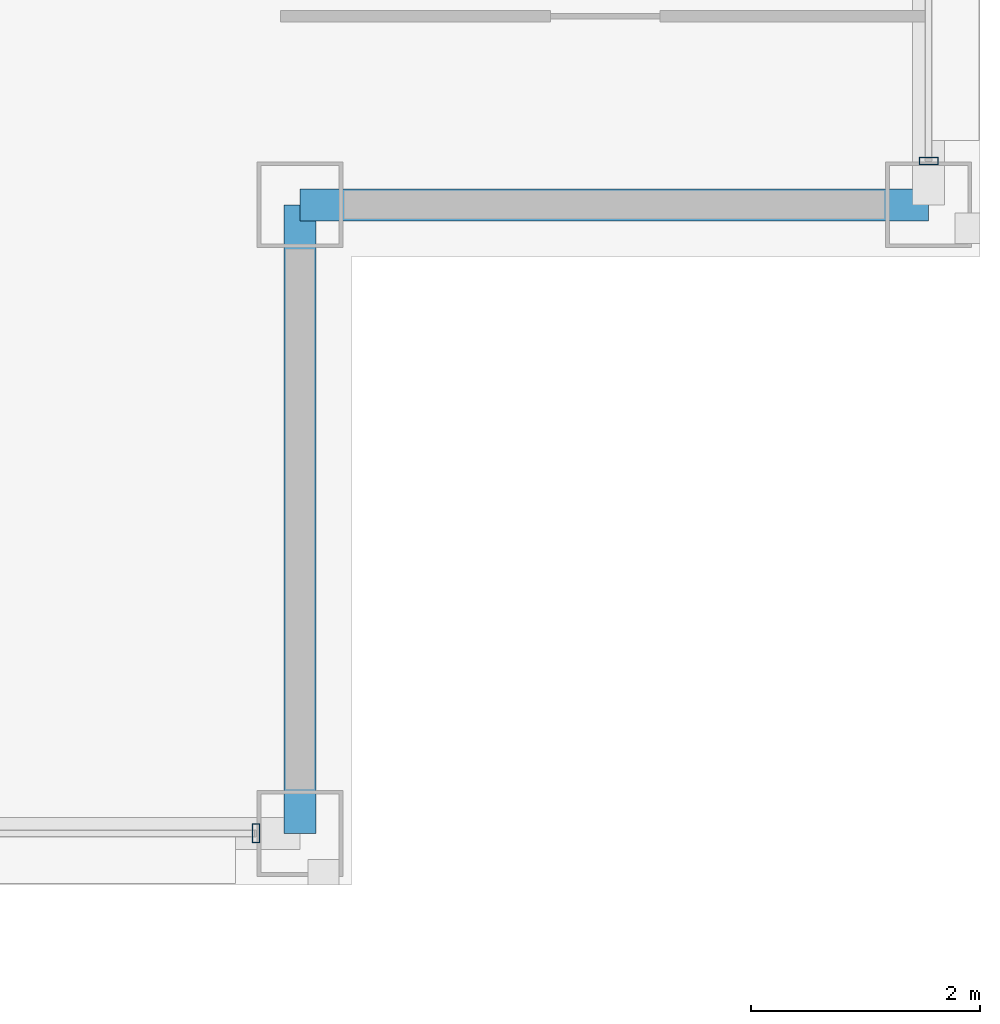
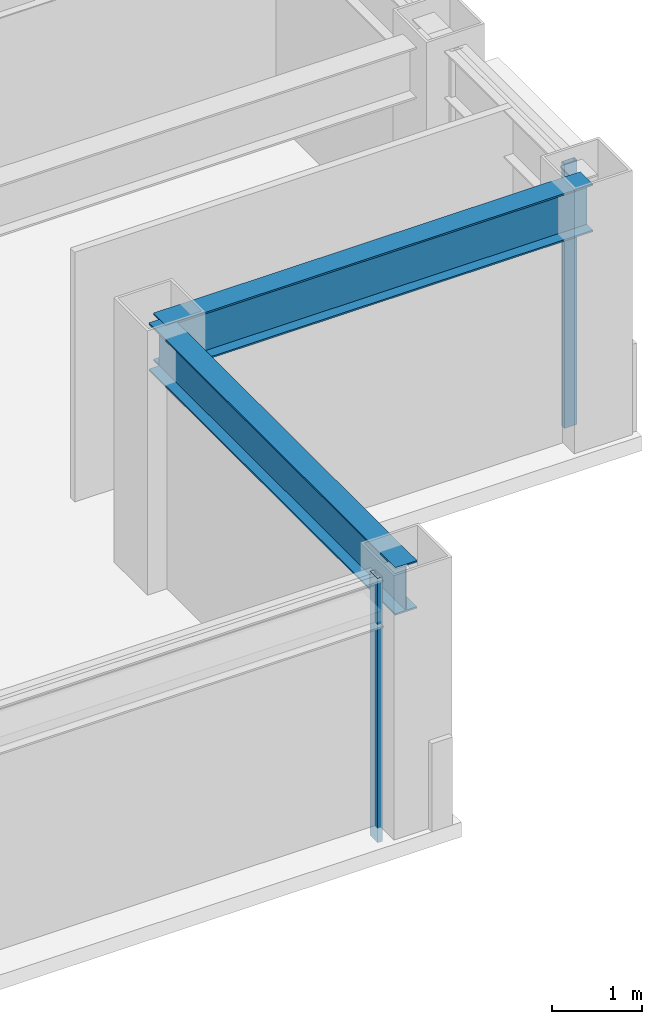
# One storey, part 11 of 28: 2 beams, 2 members, 2 elements without a shape of their own.
"""IFC4 building model written with IfcOpenShell, lengths in metres."""

from ifc_helpers import new_model, si_unit, direction, frame, origin, origin_2d, place, context, subcontext, project, spatial, hollow_rectangle, i_section, extrude, material, layer, layer_set, material_profile, profile_set, type_object, element, aggregate, save


model = new_model("IFC4")

# Units and contexts
model_context = context("Model", 3, precision=1e-05, world=origin(), true_north=direction((0.0, 1.0)))
body_context = subcontext(model_context, "Body", "Model", "MODEL_VIEW")
ifc_project = project(units=[si_unit("LENGTHUNIT", "METRE"), si_unit("AREAUNIT", "SQUARE_METRE"), si_unit("VOLUMEUNIT", "CUBIC_METRE"), si_unit("PLANEANGLEUNIT", "RADIAN"), si_unit("MASSUNIT", "GRAM", prefix="KILO")], contexts=[model_context])

# Site, building, storey
site_placement = place(None, origin())
site = spatial("IfcSite", under=ifc_project, at=site_placement, CompositionType="ELEMENT")
building_placement = place(site_placement, origin())
building = spatial("IfcBuilding", under=site, at=building_placement, Name="Brelmoor Portico Tower", CompositionType="ELEMENT")
storey_placement = place(building_placement, frame((0.0, 0.0, 165.89990234375)))
storey = spatial("IfcBuildingStorey", under=building, at=storey_placement, Name="L43", CompositionType="ELEMENT", Elevation=165.89990234375)

# Beams
ifc_material_1 = material(Name="Steel Q355B", Category="steel")
ifc_material_profile_1 = material_profile(ifc_material_1, i_section(OverallWidth=0.280029296875, OverallDepth=0.64990234375, WebThickness=0.012939453125, FlangeThickness=0.02197265625, at=origin_2d()), Name="HN 650x280x13x22")
ifc_profile_set_1 = profile_set([ifc_material_profile_1], Name="Steel Q355B")
beam_type = type_object("IfcBeamType", Name="BM-SP-650", PredefinedType="SPANDREL", material=ifc_profile_set_1)
for number, where, z_axis, x_axis, name in (
    (1, (15.050048828125, -13.050048828125, 3.0751953125), (1.0, 0.0, 0.0), (0.0, 1.0, 0.0), "L43 Perimeter Spandrel Beam SP-05"),
    (2, (15.050048828125, -18.550048828125, 3.0751953125), (0.0, 1.0, 0.0), (-1.0, 0.0, 0.0), "L43 Perimeter Spandrel Beam SP-16"),
):
    element("IfcBeam", number, at=place(storey_placement, frame(where, z_axis=z_axis, x_axis=x_axis)), inside=storey, type_object=beam_type, Name=name, PredefinedType="SPANDREL", context=body_context, shape_type="SweptSolid", body=[
        extrude(i_section(OverallWidth=0.280029296875, OverallDepth=0.64990234375, WebThickness=0.012939453125, FlangeThickness=0.02197265625, at=origin_2d()), origin(), (0.0, 0.0, 1.0), 5.5),
    ])

# Curtain wall, member
ifc_material_2 = material(Name="Anodised Aluminium Alloy 6063-T6", Category="aluminium")
ifc_layer = layer(ifc_material_2, 0.179931640625)
ifc_layer_set = layer_set([ifc_layer], Name="Anodised Aluminium Alloy 6063-T6")
curtain_wall_type = type_object("IfcCurtainWallType", Name="CW-TOWER-Z3-XB", PredefinedType="NOTDEFINED", material=ifc_layer_set)
curtain_wall_1_placement = place(storey_placement, origin())
curtain_wall_1 = element("IfcCurtainWall", 3, at=curtain_wall_1_placement, inside=storey, type_object=curtain_wall_type, Name="L43 Curtain Wall CW-L43-1R-2", PredefinedType="NOTDEFINED")
ifc_material_profile_2 = material_profile(ifc_material_2, hollow_rectangle(XDim=0.06494140625, YDim=0.1650390625, WallThickness=0.00390625, at=origin_2d()), Name="ALU MULLION 65x165")
ifc_profile_set_2 = profile_set([ifc_material_profile_2], Name="Anodised Aluminium Alloy 6063-T6")
member_type = type_object("IfcMemberType", Name="MB-CW-MULL-165", PredefinedType="MULLION", material=ifc_profile_set_2)
member_1_placement = place(storey_placement, frame((14.6650390625, -18.550048828125, -0.199951171875), z_axis=(0.0, 0.0, 1.0), x_axis=(1.0, 0.0, 0.0)))
member_1 = element("IfcMember", 4, at=member_1_placement, type_object=member_type, Name="CW-L43-1R-2 Mullion 01", PredefinedType="MULLION", context=body_context, shape_type="SweptSolid", body=[
    extrude(hollow_rectangle(XDim=0.06494140625, YDim=0.1650390625, WallThickness=0.00390625, at=origin_2d()), origin(), (0.0, 0.0, 1.0), 3.60009765625),
])
aggregate(curtain_wall_1, [member_1])

curtain_wall_2_placement = place(storey_placement, origin())
curtain_wall_2 = element("IfcCurtainWall", 5, at=curtain_wall_2_placement, inside=storey, type_object=curtain_wall_type, Name="L43 Curtain Wall CW-L43-04-1", PredefinedType="NOTDEFINED")
member_2_placement = place(storey_placement, frame((20.550048828125, -12.6650390625, -0.199951171875), z_axis=(0.0, 0.0, 1.0), x_axis=(0.0, 1.0, 0.0)))
member_2 = element("IfcMember", 6, at=member_2_placement, type_object=member_type, Name="CW-L43-04-1 Mullion 00", PredefinedType="MULLION", context=body_context, shape_type="SweptSolid", body=[
    extrude(hollow_rectangle(XDim=0.06494140625, YDim=0.1650390625, WallThickness=0.00390625, at=origin_2d()), origin(), (0.0, 0.0, 1.0), 3.60009765625),
])
aggregate(curtain_wall_2, [member_2])

save(model, "model.ifc")
